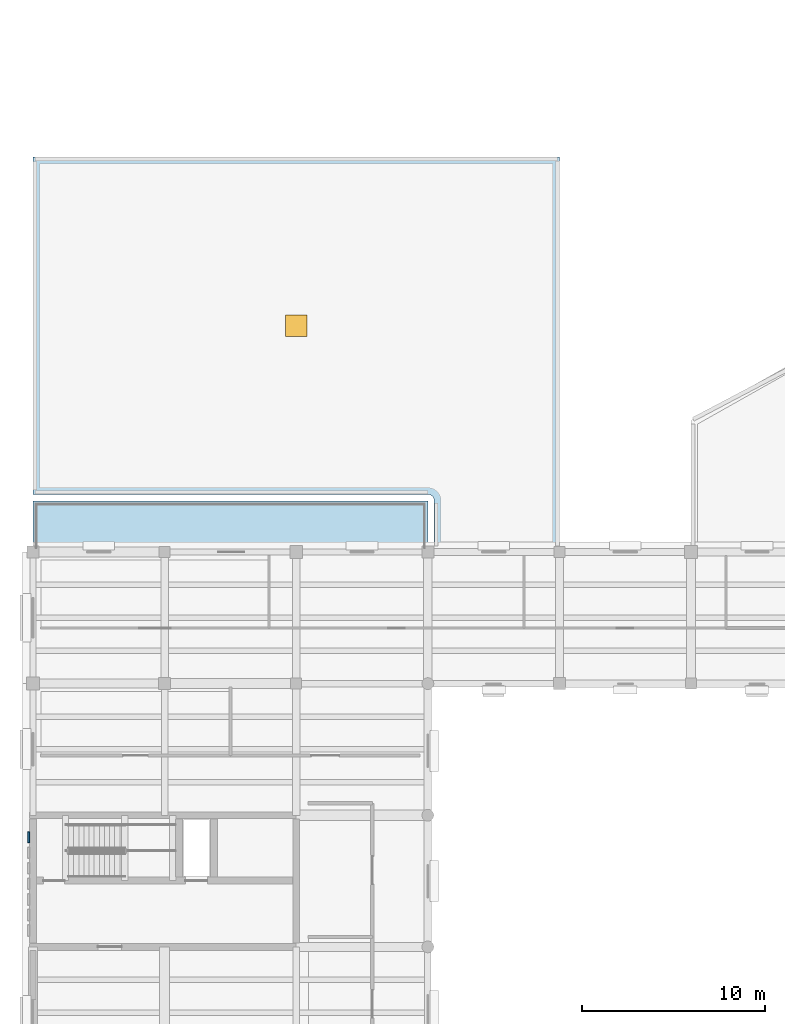
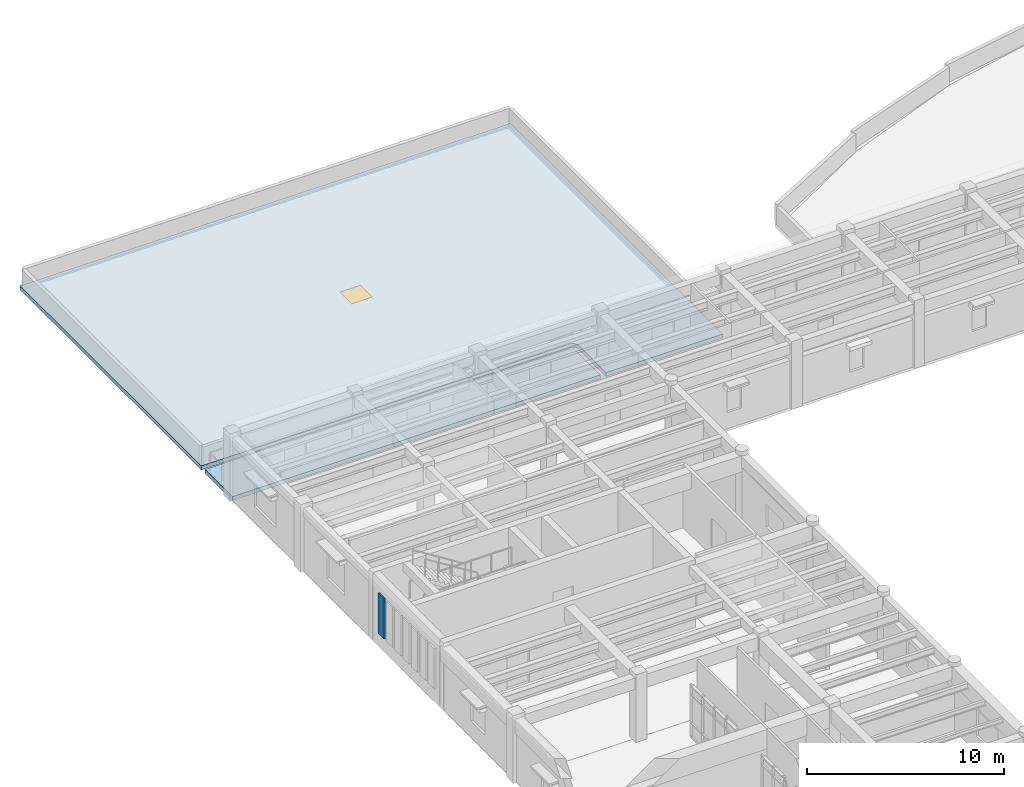
# One storey, part 28 of 66: 2 slabs, 1 plate, 1 window, 1 opening.
"""IFC4 building model written with IfcOpenShell, lengths in metres."""

from ifc_helpers import new_model, si_unit, direction, frame, origin, origin_2d, place, context, subcontext, project, spatial, polyline, rectangle, outline, extrude, material, layer, layer_set, type_object, element, fill, save


model = new_model("IFC4")

# Units and contexts
model_context = context("Model", 3, precision=1e-05, world=origin(), true_north=direction((0.0, 1.0)))
body_context = subcontext(model_context, "Body", "Model", "MODEL_VIEW")
ifc_project = project(units=[si_unit("LENGTHUNIT", "METRE"), si_unit("AREAUNIT", "SQUARE_METRE"), si_unit("VOLUMEUNIT", "CUBIC_METRE"), si_unit("PLANEANGLEUNIT", "RADIAN"), si_unit("MASSUNIT", "GRAM", prefix="KILO")], contexts=[model_context])

# Site, building, storey
site_placement = place(None, origin())
site = spatial("IfcSite", under=ifc_project, at=site_placement, CompositionType="ELEMENT")
building_placement = place(site_placement, origin())
building = spatial("IfcBuilding", under=site, at=building_placement, Name="Mithqara Police Headquarters", CompositionType="ELEMENT")
storey_placement = place(building_placement, frame((0.0, 0.0, 9.60009765625)))
storey = spatial("IfcBuildingStorey", under=building, at=storey_placement, Name="L02", CompositionType="ELEMENT", Elevation=9.60009765625)

# Slab, opening, window
ifc_material_1 = material(Name="Concrete C40/50", Category="concrete")
ifc_layer_1 = layer(ifc_material_1, 0.25, Name="Concrete C40/50")
ifc_layer_set_1 = layer_set([ifc_layer_1], Name="Concrete C40/50")
slab_type_1 = type_object("IfcSlabType", Name="ROOF SLAB 250", PredefinedType="ROOF", material=ifc_layer_set_1)
slab_1_placement = place(storey_placement, frame((0.0, 0.0, -0.25)))
slab_1 = element("IfcSlab", 1, at=slab_1_placement, inside=storey, type_object=slab_type_1, Name="L02 Flat Insulated Roof over L01 Wing 1", PredefinedType="ROOF", context=body_context, shape_type="SweptSolid", body=[
    extrude(outline(polyline([(7.800048828125, 107.39990234375), (36.60009765625, 107.39990234375), (36.60009765625, 85.820068359375), (29.75, 85.820068359375), (29.75, 88.60009765625), (29.748291015625, 88.63427734375), (29.743408203125, 88.668212890625), (29.73486328125, 88.70166015625), (29.723388671875, 88.73388671875), (29.708740234375, 88.764892578125), (29.69091796875, 88.79443359375), (29.670654296875, 88.822021484375), (29.6474609375, 88.847412109375), (29.6220703125, 88.87060546875), (29.594482421875, 88.89111328125), (29.56494140625, 88.90869140625), (29.533935546875, 88.92333984375), (29.501708984375, 88.934814453125), (29.46826171875, 88.943359375), (29.434326171875, 88.9482421875), (29.39990234375, 88.949951171875), (7.800048828125, 88.949951171875), (7.800048828125, 107.39990234375)]), holes=[polyline([(21.60009765625, 97.574951171875), (22.800048828125, 97.574951171875), (22.800048828125, 98.77490234375), (21.60009765625, 98.77490234375), (21.60009765625, 97.574951171875)])]), origin(), (0.0, 0.0, 1.0), 0.25),
])
opening_placement = place(slab_1_placement, frame((22.199951171875, 98.175048828125, -0.010009765625)))
opening = element("IfcOpeningElement", 2, at=opening_placement, cuts=slab_1, Name="Opening SK-01", PredefinedType="OPENING", context=body_context, shape_type="SweptSolid", body=[
    extrude(rectangle(XDim=1.199951171875, YDim=1.199951171875, at=origin_2d()), origin(), (0.0, 0.0, 1.0), 0.27001953125),
])
ifc_material_2 = material(Name="Spectrally selective double low-e glass", Category="glass")
window_type = type_object("IfcWindowType", Name="SKYLIGHT 1200X1200", PartitioningType="SINGLE_PANEL", PredefinedType="SKYLIGHT", material=ifc_material_2)
window_placement = place(opening_placement, frame((0.0, 0.0, 0.2099609375)))
window = element("IfcWindow", 3, at=window_placement, inside=storey, type_object=window_type, Name="L02 Roof Daylight Skylight and Access Hatch 5", OverallHeight=1.199951171875, OverallWidth=1.199951171875, PartitioningType="SINGLE_PANEL", PredefinedType="SKYLIGHT", context=body_context, shape_type="SweptSolid", body=[
    extrude(rectangle(XDim=1.199951171875, YDim=1.199951171875, at=origin_2d()), origin(), (0.0, 0.0, 1.0), 0.050048828125),
])
fill(opening, window)

# Plate
ifc_material_3 = material(Name="Limestone ashlar masonry, 45 MPa", Category="masonry")
ifc_layer_2 = layer(ifc_material_3, 0.10009765625, Name="Limestone ashlar masonry, 45 MPa")
ifc_layer_set_2 = layer_set([ifc_layer_2], Name="Limestone ashlar masonry, 45 MPa")
plate_type = type_object("IfcPlateType", Name="STONE SCREEN 100", PredefinedType="USERDEFINED", material=ifc_layer_set_2)
plate_placement = place(storey_placement, frame((7.56494140625, 70.199951171875, 0.89990234375), z_axis=(0.0, 0.0, 1.0), x_axis=(0.0, 1.0, 0.0)))
element("IfcPlate", 4, at=plate_placement, inside=storey, type_object=plate_type, Name="L02 Core C3 Pierced Vertical-Slit Screen 7", ObjectType="STONE SCREEN", PredefinedType="USERDEFINED", context=body_context, shape_type="SweptSolid", body=[
    extrude(rectangle(XDim=0.6201171875, YDim=0.10009765625, at=origin_2d()), origin(), (0.0, 0.0, 1.0), 2.5),
])

# Slab
ifc_layer_3 = layer(ifc_material_1, 0.239990234375, Name="Concrete C40/50")
ifc_layer_set_3 = layer_set([ifc_layer_3], Name="Concrete C40/50")
slab_type_2 = type_object("IfcSlabType", Name="TERRACE SLAB 240", PredefinedType="FLOOR", material=ifc_layer_set_3)
slab_2_placement = place(storey_placement, frame((0.0, 0.0, -0.239990234375)))
element("IfcSlab", 5, at=slab_2_placement, inside=storey, type_object=slab_type_2, Name="L02 Walkable Roof Terrace TER-L02-NW", PredefinedType="FLOOR", context=body_context, shape_type="SweptSolid", body=[
    extrude(outline(polyline([(7.800048828125, 88.60009765625), (29.39990234375, 88.60009765625), (29.39990234375, 85.800048828125), (7.800048828125, 85.800048828125), (7.800048828125, 88.60009765625)])), origin(), (0.0, 0.0, 1.0), 0.239990234375),
])

save(model, "model.ifc")
